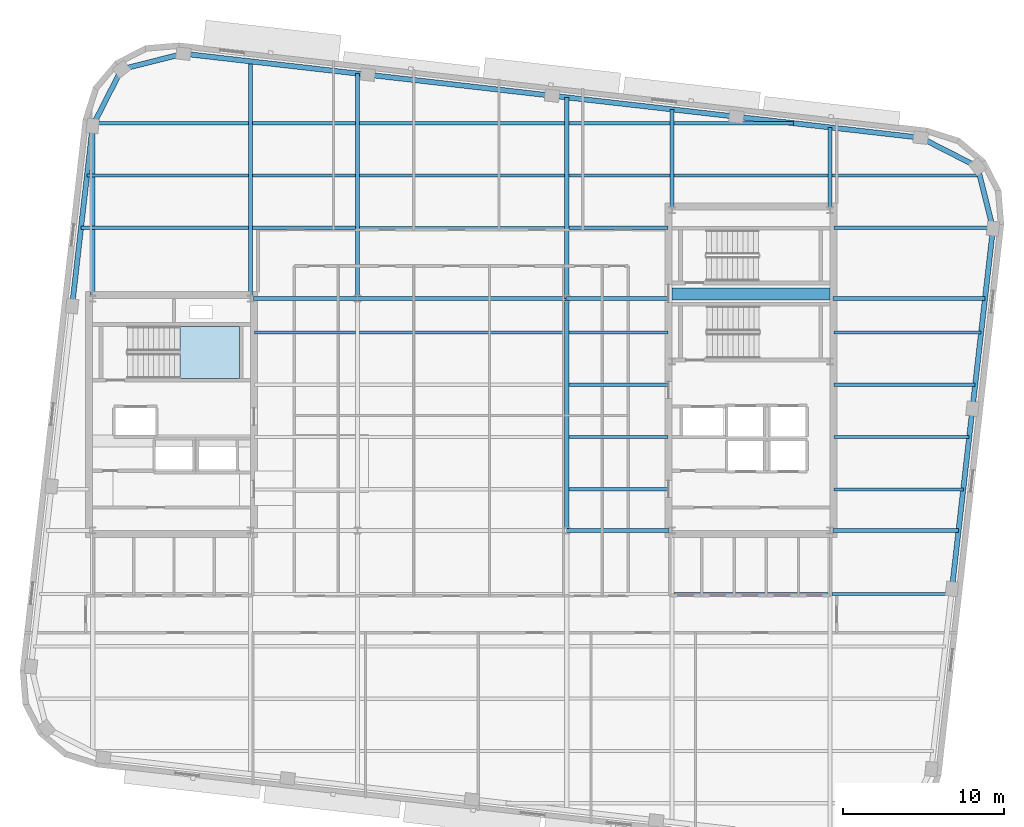
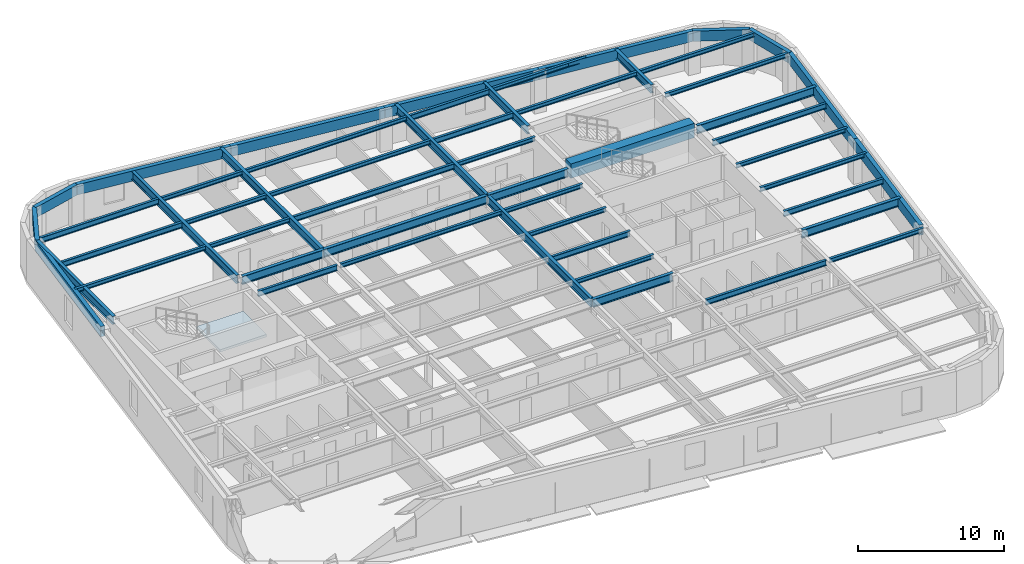
# One storey, part 4 of 13: 53 beams, 1 slab, 1 element without a shape of its own.
"""IFC4 building model written with IfcOpenShell, lengths in metres."""

import ifcopenshell
import ifcopenshell.guid

model = None  # the IFC model being written
_history = None  # IfcOwnerHistory: only IFC2X3 demands one
_inside = {}  # id of a spatial element -> (the spatial element, [elements in it])
_under = {}  # id of a project, library or spatial element -> (it, [spatial elements below it])
_declared = {}  # id of a project -> (the project, [libraries it declares])
_typed = {}  # id of a type object -> (the type object, [elements of that type])
_made_of = {}  # id of a material, layer set ... -> (it, [elements and type objects made of it])


def new_model(schema):
    """Start an empty IFC model of exactly this schema.

    Asked for "IFC4X3", IfcOpenShell would pick the latest addendum, in which some entities
    have other attributes; the version numbers below select the first issue.
    IFC2X3 requires an IfcOwnerHistory on every rooted entity: one is made here for all.
    """
    global model, _history
    if schema == "IFC4X3":
        model = ifcopenshell.file(schema_version=(4, 3, 0, 0))
    else:
        model = ifcopenshell.file(schema=schema)
    _inside.clear()
    _under.clear()
    _declared.clear()
    _typed.clear()
    _made_of.clear()
    _history = None
    if model.schema == "IFC2X3":
        org = make("IfcOrganization", Name="unknown")
        user = make(
            "IfcPersonAndOrganization",
            ThePerson=make("IfcPerson", FamilyName="unknown"),
            TheOrganization=org,
        )
        app = make(
            "IfcApplication",
            ApplicationDeveloper=org,
            Version="unknown",
            ApplicationFullName="unknown",
            ApplicationIdentifier="unknown",
        )
        _history = make(
            "IfcOwnerHistory",
            OwningUser=user,
            OwningApplication=app,
            ChangeAction="ADDED",
            CreationDate=0,
        )
    return model


def make(cls, **values):
    """One entity of the class cls with the attributes given. An attribute that is None is left unset."""
    return model.create_entity(
        cls, **{name: value for name, value in values.items() if value is not None}
    )


def rooted(cls, **values):
    """An entity with a GlobalId (a new one), such as an element, a storey or a relation."""
    return make(cls, GlobalId=ifcopenshell.guid.new(), OwnerHistory=_history, **values)


def si_unit(unit_type, name, prefix=None):
    """IfcSIUnit, for example si_unit("LENGTHUNIT", "METRE", prefix="MILLI")."""
    return make("IfcSIUnit", UnitType=unit_type, Prefix=prefix, Name=name)


def assignment(units):
    """IfcUnitAssignment: the units of a project."""
    return None if units is None else make("IfcUnitAssignment", Units=units)


def point(xyz):
    """IfcCartesianPoint."""
    return None if xyz is None else make("IfcCartesianPoint", Coordinates=xyz)


def direction(xyz):
    """IfcDirection."""
    return None if xyz is None else make("IfcDirection", DirectionRatios=xyz)


def frame(location, z_axis=None, x_axis=None):
    """IfcAxis2Placement3D, a coordinate frame: its origin and axes. An axis left out is left unset."""
    return make(
        "IfcAxis2Placement3D",
        Location=point(location),
        Axis=direction(z_axis),
        RefDirection=direction(x_axis),
    )


def frame_2d(location, x_axis=None):
    """IfcAxis2Placement2D, a coordinate frame in the plane: its origin and x axis."""
    return make(
        "IfcAxis2Placement2D", Location=point(location), RefDirection=direction(x_axis)
    )


def origin():
    """The frame at (0, 0, 0) with its axes left unset."""
    return frame((0.0, 0.0, 0.0))


def origin_2d():
    """The frame at (0, 0) in the plane with its x axis left unset."""
    return frame_2d((0.0, 0.0))


def place(relative_to, where):
    """IfcLocalPlacement: puts the frame where relative to a parent placement (None: the world)."""
    return make(
        "IfcLocalPlacement", PlacementRelTo=relative_to, RelativePlacement=where
    )


def context(
    kind, dimensions, precision=None, world=None, true_north=None, identifier=None
):
    """IfcGeometricRepresentationContext, for example the 3D "Model" context."""
    return make(
        "IfcGeometricRepresentationContext",
        ContextIdentifier=identifier,
        ContextType=kind,
        CoordinateSpaceDimension=dimensions,
        Precision=precision,
        WorldCoordinateSystem=world,
        TrueNorth=true_north,
    )


def subcontext(parent, identifier, kind, view, scale=None):
    """IfcGeometricRepresentationSubContext, for example "Body" below "Model"."""
    return make(
        "IfcGeometricRepresentationSubContext",
        ContextIdentifier=identifier,
        ContextType=kind,
        ParentContext=parent,
        TargetScale=scale,
        TargetView=view,
    )


def project(units=None, contexts=None):
    """IfcProject with its units and contexts."""
    return rooted(
        "IfcProject",
        Name="project",
        RepresentationContexts=contexts,
        UnitsInContext=assignment(units),
    )


def spatial(cls, under=None, at=None, **own):
    """A site, building, storey or space (cls), placed at a placement, below another one or the project."""
    s = rooted(cls, ObjectPlacement=at, **own)
    if under is not None:
        _under.setdefault(under.id(), (under, []))[1].append(s)
    return s


def polyline(points):
    """IfcPolyline through the points."""
    return make("IfcPolyline", Points=[point(p) for p in points])


def profile(cls, at=None, kind="AREA", **sizes):
    """A parametric profile (cls). Its sizes go by their IFC names, for example OverallWidth=200.0."""
    return make(cls, ProfileType=kind, Position=at, **sizes)


def rectangle(**sizes):
    """IfcRectangleProfileDef."""
    return profile("IfcRectangleProfileDef", **sizes)


def hollow_rectangle(**sizes):
    """IfcRectangleHollowProfileDef."""
    return profile("IfcRectangleHollowProfileDef", **sizes)


def i_section(**sizes):
    """IfcIShapeProfileDef."""
    return profile("IfcIShapeProfileDef", **sizes)


def outline(outer, holes=None, kind="AREA"):
    """IfcArbitraryClosedProfileDef: a profile drawn as a closed curve; with holes, ...WithVoids."""
    if holes is None:
        return make("IfcArbitraryClosedProfileDef", ProfileType=kind, OuterCurve=outer)
    return make(
        "IfcArbitraryProfileDefWithVoids",
        ProfileType=kind,
        OuterCurve=outer,
        InnerCurves=holes,
    )


def extrude(swept, where, along, depth):
    """IfcExtrudedAreaSolid: the profile swept, set in the frame where, extruded along a direction by depth."""
    return make(
        "IfcExtrudedAreaSolid",
        SweptArea=swept,
        Position=where,
        ExtrudedDirection=direction(along),
        Depth=depth,
    )


def shape(context_of_items, identifier, shape_type, items):
    """IfcShapeRepresentation: the items that make up one representation, for example the "Body"."""
    return make(
        "IfcShapeRepresentation",
        ContextOfItems=context_of_items,
        RepresentationIdentifier=identifier,
        RepresentationType=shape_type,
        Items=items,
    )


def material(Name=None, Category=None):
    """IfcMaterial."""
    return make("IfcMaterial", Name=Name, Category=Category)


def layer(
    of_material, thickness, ventilated=None, Name=None, Category=None, Priority=None
):
    """IfcMaterialLayer: one layer of a wall or slab, of a material (None: an air gap)."""
    return make(
        "IfcMaterialLayer",
        Material=of_material,
        LayerThickness=thickness,
        IsVentilated=ventilated,
        Name=Name,
        Category=Category,
        Priority=Priority,
    )


def layer_set(layers, Name=None):
    """IfcMaterialLayerSet."""
    return make("IfcMaterialLayerSet", MaterialLayers=layers, LayerSetName=Name)


def material_profile(
    of_material, cross_section, Name=None, Category=None, Priority=None
):
    """IfcMaterialProfile: a cross section and its material."""
    return make(
        "IfcMaterialProfile",
        Name=Name,
        Material=of_material,
        Profile=cross_section,
        Priority=Priority,
        Category=Category,
    )


def profile_set(profiles, Name=None, composite=None):
    """IfcMaterialProfileSet."""
    return make(
        "IfcMaterialProfileSet",
        Name=Name,
        MaterialProfiles=profiles,
        CompositeProfile=composite,
    )


def made_of(thing, what):
    """Note that an element or type object is made of a material, layer set ...; save() writes the relation."""
    if what is not None:
        _made_of.setdefault(what.id(), (what, []))[1].append(thing)
    return thing


def type_object(cls, material=None, **own):
    """A type object (cls), such as IfcWallType, which elements share."""
    return made_of(rooted(cls, **own), material)


def element(
    cls,
    number,
    at=None,
    inside=None,
    cuts=None,
    type_object=None,
    material=None,
    context=None,
    identifier="Body",
    shape_type=None,
    held_by="IfcProductDefinitionShape",
    body=None,
    shapes=None,
    **own,
):
    """One element of the class cls, such as IfcWall. Its Tag is "e" and its number.

    at: its placement. inside: the storey or other place that contains it. cuts: it is an
    opening in that element (IfcRelVoidsElement). A single representation is given by context,
    identifier, shape_type and body (its items); several are given by shapes. held_by: the class
    of the entity that holds the representations. save() writes the other relations.
    """
    e = rooted(cls, Tag="e%d" % number, ObjectPlacement=at, **own)
    if body is not None:
        shapes = [shape(context, identifier, shape_type, body)]
    if shapes is not None:
        e.Representation = make(held_by, Representations=shapes)
    if inside is not None:
        _inside.setdefault(inside.id(), (inside, []))[1].append(e)
    if cuts is not None:
        rooted(
            "IfcRelVoidsElement", RelatingBuildingElement=cuts, RelatedOpeningElement=e
        )
    if type_object is not None:
        _typed.setdefault(type_object.id(), (type_object, []))[1].append(e)
    return made_of(e, material)


def aggregate(whole, parts):
    """IfcRelAggregates: a whole, such as a stair, and the parts it consists of."""
    return rooted("IfcRelAggregates", RelatingObject=whole, RelatedObjects=parts)


def save(model, path):
    """Write the relations noted so far, then the file.

    IfcRelAggregates (storeys below a building ...), IfcRelContainedInSpatialStructure (elements
    in a storey), IfcRelDefinesByType, IfcRelAssociatesMaterial and IfcRelDeclares: one each for
    every whole, place, type object, material and project.
    """
    for whole, parts in _under.values():
        aggregate(whole, parts)
    for where, things in _inside.values():
        rooted(
            "IfcRelContainedInSpatialStructure",
            RelatedElements=things,
            RelatingStructure=where,
        )
    for kind, things in _typed.values():
        rooted("IfcRelDefinesByType", RelatedObjects=things, RelatingType=kind)
    for what, things in _made_of.values():
        rooted("IfcRelAssociatesMaterial", RelatedObjects=things, RelatingMaterial=what)
    for by, libraries in _declared.values():
        rooted("IfcRelDeclares", RelatingContext=by, RelatedDefinitions=libraries)
    model.write(path)


model = new_model("IFC4")

# Units and contexts
model_context = context("Model", 3, precision=1e-05, world=origin(), true_north=direction((0.0, 1.0)))
body_context = subcontext(model_context, "Body", "Model", "MODEL_VIEW")
ifc_project = project(units=[si_unit("LENGTHUNIT", "METRE"), si_unit("AREAUNIT", "SQUARE_METRE"), si_unit("VOLUMEUNIT", "CUBIC_METRE"), si_unit("PLANEANGLEUNIT", "RADIAN"), si_unit("MASSUNIT", "GRAM", prefix="KILO")], contexts=[model_context])

# Site, building, storey
site_placement = place(None, origin())
site = spatial("IfcSite", under=ifc_project, at=site_placement, CompositionType="ELEMENT")
building_placement = place(site_placement, origin())
building = spatial("IfcBuilding", under=site, at=building_placement, Name="Kolvaren Arena Tower", CompositionType="ELEMENT")
storey_placement = place(building_placement, frame((0.0, 0.0, 232.199951171875)))
storey = spatial("IfcBuildingStorey", under=building, at=storey_placement, Name="L56", CompositionType="ELEMENT", Elevation=232.199951171875)

# Beams
ifc_material_1 = material(Name="Steel CSA G40.21 350W", Category="steel")
ifc_material_profile_1 = material_profile(ifc_material_1, i_section(OverallWidth=0.193115234375, OverallDepth=0.462890625, WebThickness=0.0107421875, FlangeThickness=0.0205078125, FilletRadius=0.012939453125, at=origin_2d()), Name="W460x113")
ifc_profile_set_1 = profile_set([ifc_material_profile_1], Name="Steel CSA G40.21 350W")
beam_type_1 = type_object("IfcBeamType", Name="BEAM-F2", PredefinedType="BEAM", material=ifc_profile_set_1)
beam_1_placement = place(storey_placement, frame((50.677490234375, 15.5, 3.24853515625), z_axis=(1.0, 0.0, 0.0), x_axis=(0.0, 1.0, 0.0)))
element("IfcBeam", 1, at=beam_1_placement, inside=storey, type_object=beam_type_1, Name="Composite Floor Beam (L56)", PredefinedType="BEAM", context=body_context, shape_type="SweptSolid", body=[
    extrude(i_section(OverallWidth=0.193115234375, OverallDepth=0.462890625, WebThickness=0.0107421875, FlangeThickness=0.0205078125, FilletRadius=0.012939453125, at=origin_2d()), origin(), (0.0, 0.0, 1.0), 9.544921875),
])
beam_2_placement = place(storey_placement, frame((60.594970703125, 22.0, 3.24853515625), z_axis=(1.0, 0.0, 0.0), x_axis=(0.0, 1.0, 0.0)))
element("IfcBeam", 2, at=beam_2_placement, inside=storey, type_object=beam_type_1, Name="Composite Floor Beam (L56)", PredefinedType="BEAM", context=body_context, shape_type="SweptSolid", body=[
    extrude(i_section(OverallWidth=0.193115234375, OverallDepth=0.462890625, WebThickness=0.0107421875, FlangeThickness=0.0205078125, FilletRadius=0.012939453125, at=origin_2d()), origin(), (0.0, 0.0, 1.0), 8.041015625),
])
beam_3_placement = place(storey_placement, frame((44.12744140625, 25.25, 3.24853515625), z_axis=(1.0, 0.0, 0.0), x_axis=(0.0, 1.0, 0.0)))
element("IfcBeam", 3, at=beam_3_placement, inside=storey, type_object=beam_type_1, Name="Composite Floor Beam (L56)", PredefinedType="BEAM", context=body_context, shape_type="SweptSolid", body=[
    extrude(i_section(OverallWidth=0.193115234375, OverallDepth=0.462890625, WebThickness=0.0107421875, FlangeThickness=0.0205078125, FilletRadius=0.012939453125, at=origin_2d()), origin(), (0.0, 0.0, 1.0), 6.177490234375),
])
beam_4_placement = place(storey_placement, frame((24.594970703125, 31.75, 3.24853515625), z_axis=(1.0, 0.0, 0.0), x_axis=(0.0, 1.0, 0.0)))
element("IfcBeam", 4, at=beam_4_placement, inside=storey, type_object=beam_type_1, Name="Composite Floor Beam (L56)", PredefinedType="BEAM", context=body_context, shape_type="SweptSolid", body=[
    extrude(i_section(OverallWidth=0.193115234375, OverallDepth=0.462890625, WebThickness=0.0107421875, FlangeThickness=0.0205078125, FilletRadius=0.012939453125, at=origin_2d()), origin(), (0.0, 0.0, 1.0), 6.277587890625),
])
beam_5_placement = place(storey_placement, frame((60.594970703125, 31.75, 3.24853515625), z_axis=(1.0, 0.0, 0.0), x_axis=(0.0, 1.0, 0.0)))
element("IfcBeam", 5, at=beam_5_placement, inside=storey, type_object=beam_type_1, Name="Composite Floor Beam (L56)", PredefinedType="BEAM", context=body_context, shape_type="SweptSolid", body=[
    extrude(i_section(OverallWidth=0.193115234375, OverallDepth=0.462890625, WebThickness=0.0107421875, FlangeThickness=0.0205078125, FilletRadius=0.012939453125, at=origin_2d()), origin(), (0.0, 0.0, 1.0), 9.15185546875),
])
beam_6_placement = place(storey_placement, frame((31.12744140625, 38.25, 3.24853515625), z_axis=(1.0, 0.0, 0.0), x_axis=(0.0, 1.0, 0.0)))
element("IfcBeam", 6, at=beam_6_placement, inside=storey, type_object=beam_type_1, Name="Composite Floor Beam (L56)", PredefinedType="BEAM", context=body_context, shape_type="SweptSolid", body=[
    extrude(i_section(OverallWidth=0.193115234375, OverallDepth=0.462890625, WebThickness=0.0107421875, FlangeThickness=0.0205078125, FilletRadius=0.012939453125, at=origin_2d()), origin(), (0.0, 0.0, 1.0), 12.7451171875),
])
beam_7_placement = place(storey_placement, frame((14.193359375, 41.5, 3.24853515625), z_axis=(1.0, 0.0, 0.0), x_axis=(0.0, 1.0, 0.0)))
element("IfcBeam", 7, at=beam_7_placement, inside=storey, type_object=beam_type_1, Name="Composite Floor Beam (L56)", PredefinedType="BEAM", context=body_context, shape_type="SweptSolid", body=[
    extrude(i_section(OverallWidth=0.193115234375, OverallDepth=0.462890625, WebThickness=0.0107421875, FlangeThickness=0.0205078125, FilletRadius=0.012939453125, at=origin_2d()), origin(), (0.0, 0.0, 1.0), 10.029052734375),
])
beam_8_placement = place(storey_placement, frame((44.12744140625, 41.5, 3.24853515625), z_axis=(1.0, 0.0, 0.0), x_axis=(0.0, 1.0, 0.0)))
element("IfcBeam", 8, at=beam_8_placement, inside=storey, type_object=beam_type_1, Name="Composite Floor Beam (L56)", PredefinedType="BEAM", context=body_context, shape_type="SweptSolid", body=[
    extrude(i_section(OverallWidth=0.193115234375, OverallDepth=0.462890625, WebThickness=0.0107421875, FlangeThickness=0.0205078125, FilletRadius=0.012939453125, at=origin_2d()), origin(), (0.0, 0.0, 1.0), 6.295166015625),
])
beam_9_placement = place(storey_placement, frame((14.632080078125, 44.75, 3.24853515625), z_axis=(1.0, 0.0, 0.0), x_axis=(0.0, 1.0, 0.0)))
element("IfcBeam", 9, at=beam_9_placement, inside=storey, type_object=beam_type_1, Name="Composite Floor Beam (L56)", PredefinedType="BEAM", context=body_context, shape_type="SweptSolid", body=[
    extrude(i_section(OverallWidth=0.193115234375, OverallDepth=0.462890625, WebThickness=0.0107421875, FlangeThickness=0.0205078125, FilletRadius=0.012939453125, at=origin_2d()), origin(), (0.0, 0.0, 1.0), 9.59033203125),
])
beam_10_placement = place(storey_placement, frame((44.12744140625, 44.75, 3.24853515625), z_axis=(1.0, 0.0, 0.0), x_axis=(0.0, 1.0, 0.0)))
element("IfcBeam", 10, at=beam_10_placement, inside=storey, type_object=beam_type_1, Name="Composite Floor Beam (L56)", PredefinedType="BEAM", context=body_context, shape_type="SweptSolid", body=[
    extrude(i_section(OverallWidth=0.193115234375, OverallDepth=0.462890625, WebThickness=0.0107421875, FlangeThickness=0.0205078125, FilletRadius=0.012939453125, at=origin_2d()), origin(), (0.0, 0.0, 1.0), 6.295166015625),
])
ifc_material_2 = material(Name="Concrete 60 MPa", Category="concrete")
ifc_material_profile_2 = material_profile(ifc_material_2, rectangle(XDim=0.75, YDim=1.199951171875, at=origin_2d()), Name="RC-750x1200")
ifc_profile_set_2 = profile_set([ifc_material_profile_2], Name="Concrete 60 MPa")
beam_type_2 = type_object("IfcBeamType", Name="CB-CORE-2", PredefinedType="BEAM", material=ifc_profile_set_2)
beam_11_placement = place(storey_placement, frame((50.550048828125, 34.14990234375, 3.150146484375), z_axis=(1.0, 0.0, 0.0), x_axis=(0.0, 1.0, 0.0)))
element("IfcBeam", 11, at=beam_11_placement, inside=storey, type_object=beam_type_2, Name="East Core Coupling Beam (L56)", PredefinedType="BEAM", context=body_context, shape_type="SweptSolid", body=[
    extrude(rectangle(XDim=0.75, YDim=1.199951171875, at=origin_2d()), origin(), (0.0, 0.0, 1.0), 9.800048828125),
])
ifc_material_profile_3 = material_profile(ifc_material_1, i_section(OverallWidth=0.2548828125, OverallDepth=0.695068359375, WebThickness=0.01708984375, FlangeThickness=0.02978515625, FilletRadius=0.01611328125, at=origin_2d()), Name="W690x217")
ifc_profile_set_3 = profile_set([ifc_material_profile_3], Name="Steel CSA G40.21 350W")
beam_type_3 = type_object("IfcBeamType", Name="GIRD-T2", PredefinedType="BEAM", material=ifc_profile_set_3)
beam_12_placement = place(storey_placement, frame((44.0, 19.449951171875, 3.132568359375), z_axis=(1.0, 0.0, 0.0), x_axis=(0.0, 1.0, 0.0)))
element("IfcBeam", 12, at=beam_12_placement, inside=storey, type_object=beam_type_3, Name="Primary Floor Girder (L56)", PredefinedType="BEAM", context=body_context, shape_type="SweptSolid", body=[
    extrude(i_section(OverallWidth=0.2548828125, OverallDepth=0.695068359375, WebThickness=0.01708984375, FlangeThickness=0.02978515625, FilletRadius=0.01611328125, at=origin_2d()), origin(), (0.0, 0.0, 1.0), 6.344970703125),
])
beam_13_placement = place(storey_placement, frame((60.554931640625, 19.449951171875, 3.132568359375), z_axis=(1.0, 0.0, 0.0), x_axis=(0.0, 1.0, 0.0)))
element("IfcBeam", 13, at=beam_13_placement, inside=storey, type_object=beam_type_3, Name="Primary Floor Girder (L56)", PredefinedType="BEAM", context=body_context, shape_type="SweptSolid", body=[
    extrude(i_section(OverallWidth=0.2548828125, OverallDepth=0.695068359375, WebThickness=0.01708984375, FlangeThickness=0.02978515625, FilletRadius=0.01611328125, at=origin_2d()), origin(), (0.0, 0.0, 1.0), 7.790283203125),
])
beam_14_placement = place(storey_placement, frame((24.554931640625, 33.85009765625, 3.132568359375), z_axis=(1.0, 0.0, 0.0), x_axis=(0.0, 1.0, 0.0)))
element("IfcBeam", 14, at=beam_14_placement, inside=storey, type_object=beam_type_3, Name="Primary Floor Girder (L56)", PredefinedType="BEAM", context=body_context, shape_type="SweptSolid", body=[
    extrude(i_section(OverallWidth=0.2548828125, OverallDepth=0.695068359375, WebThickness=0.01708984375, FlangeThickness=0.02978515625, FilletRadius=0.01611328125, at=origin_2d()), origin(), (0.0, 0.0, 1.0), 6.445068359375),
])
beam_15_placement = place(storey_placement, frame((31.0, 33.85009765625, 3.132568359375), z_axis=(1.0, 0.0, 0.0), x_axis=(0.0, 1.0, 0.0)))
element("IfcBeam", 15, at=beam_15_placement, inside=storey, type_object=beam_type_3, Name="Primary Floor Girder (L56)", PredefinedType="BEAM", context=body_context, shape_type="SweptSolid", body=[
    extrude(i_section(OverallWidth=0.2548828125, OverallDepth=0.695068359375, WebThickness=0.01708984375, FlangeThickness=0.02978515625, FilletRadius=0.01611328125, at=origin_2d()), origin(), (0.0, 0.0, 1.0), 13.0),
])
beam_16_placement = place(storey_placement, frame((44.0, 33.85009765625, 3.132568359375), z_axis=(1.0, 0.0, 0.0), x_axis=(0.0, 1.0, 0.0)))
element("IfcBeam", 16, at=beam_16_placement, inside=storey, type_object=beam_type_3, Name="Primary Floor Girder (L56)", PredefinedType="BEAM", context=body_context, shape_type="SweptSolid", body=[
    extrude(i_section(OverallWidth=0.2548828125, OverallDepth=0.695068359375, WebThickness=0.01708984375, FlangeThickness=0.02978515625, FilletRadius=0.01611328125, at=origin_2d()), origin(), (0.0, 0.0, 1.0), 6.344970703125),
])
beam_17_placement = place(storey_placement, frame((60.554931640625, 33.85009765625, 3.132568359375), z_axis=(1.0, 0.0, 0.0), x_axis=(0.0, 1.0, 0.0)))
element("IfcBeam", 17, at=beam_17_placement, inside=storey, type_object=beam_type_3, Name="Primary Floor Girder (L56)", PredefinedType="BEAM", context=body_context, shape_type="SweptSolid", body=[
    extrude(i_section(OverallWidth=0.2548828125, OverallDepth=0.695068359375, WebThickness=0.01708984375, FlangeThickness=0.02978515625, FilletRadius=0.01611328125, at=origin_2d()), origin(), (0.0, 0.0, 1.0), 9.43115234375),
])
beam_18_placement = place(storey_placement, frame((14.550048828125, 34.054931640625, 3.132568359375), z_axis=(0.0, 1.0, 0.0), x_axis=(-1.0, 0.0, 0.0)))
element("IfcBeam", 18, at=beam_18_placement, inside=storey, type_object=beam_type_3, Name="Primary Floor Girder (L56)", PredefinedType="BEAM", context=body_context, shape_type="SweptSolid", body=[
    extrude(i_section(OverallWidth=0.2548828125, OverallDepth=0.695068359375, WebThickness=0.01708984375, FlangeThickness=0.02978515625, FilletRadius=0.01611328125, at=origin_2d()), origin(), (0.0, 0.0, 1.0), 10.53466796875),
])
beam_19_placement = place(storey_placement, frame((24.35009765625, 34.054931640625, 3.132568359375), z_axis=(0.0, 1.0, 0.0), x_axis=(-1.0, 0.0, 0.0)))
element("IfcBeam", 19, at=beam_19_placement, inside=storey, type_object=beam_type_3, Name="Primary Floor Girder (L56)", PredefinedType="BEAM", context=body_context, shape_type="SweptSolid", body=[
    extrude(i_section(OverallWidth=0.2548828125, OverallDepth=0.695068359375, WebThickness=0.01708984375, FlangeThickness=0.02978515625, FilletRadius=0.01611328125, at=origin_2d()), origin(), (0.0, 0.0, 1.0), 14.538818359375),
])
beam_20_placement = place(storey_placement, frame((31.0, 33.85009765625, 3.132568359375), z_axis=(0.0, 1.0, 0.0), x_axis=(-1.0, 0.0, 0.0)))
element("IfcBeam", 20, at=beam_20_placement, inside=storey, type_object=beam_type_3, Name="Primary Floor Girder (L56)", PredefinedType="BEAM", context=body_context, shape_type="SweptSolid", body=[
    extrude(i_section(OverallWidth=0.2548828125, OverallDepth=0.695068359375, WebThickness=0.01708984375, FlangeThickness=0.02978515625, FilletRadius=0.01611328125, at=origin_2d()), origin(), (0.0, 0.0, 1.0), 13.986083984375),
])
beam_21_placement = place(storey_placement, frame((44.0, 19.449951171875, 3.132568359375), z_axis=(0.0, 1.0, 0.0), x_axis=(-1.0, 0.0, 0.0)))
element("IfcBeam", 21, at=beam_21_placement, inside=storey, type_object=beam_type_3, Name="Primary Floor Girder (L56)", PredefinedType="BEAM", context=body_context, shape_type="SweptSolid", body=[
    extrude(i_section(OverallWidth=0.2548828125, OverallDepth=0.695068359375, WebThickness=0.01708984375, FlangeThickness=0.02978515625, FilletRadius=0.01611328125, at=origin_2d()), origin(), (0.0, 0.0, 1.0), 14.400146484375),
])
beam_22_placement = place(storey_placement, frame((44.0, 33.85009765625, 3.132568359375), z_axis=(0.0, 1.0, 0.0), x_axis=(-1.0, 0.0, 0.0)))
element("IfcBeam", 22, at=beam_22_placement, inside=storey, type_object=beam_type_3, Name="Primary Floor Girder (L56)", PredefinedType="BEAM", context=body_context, shape_type="SweptSolid", body=[
    extrude(i_section(OverallWidth=0.2548828125, OverallDepth=0.695068359375, WebThickness=0.01708984375, FlangeThickness=0.02978515625, FilletRadius=0.01611328125, at=origin_2d()), origin(), (0.0, 0.0, 1.0), 12.5048828125),
])
beam_23_placement = place(storey_placement, frame((50.550048828125, 39.554931640625, 3.132568359375), z_axis=(0.0, 1.0, 0.0), x_axis=(-1.0, 0.0, 0.0)))
element("IfcBeam", 23, at=beam_23_placement, inside=storey, type_object=beam_type_3, Name="Primary Floor Girder (L56)", PredefinedType="BEAM", context=body_context, shape_type="SweptSolid", body=[
    extrude(i_section(OverallWidth=0.2548828125, OverallDepth=0.695068359375, WebThickness=0.01708984375, FlangeThickness=0.02978515625, FilletRadius=0.01611328125, at=origin_2d()), origin(), (0.0, 0.0, 1.0), 6.0537109375),
])
beam_24_placement = place(storey_placement, frame((60.35009765625, 39.554931640625, 3.132568359375), z_axis=(0.0, 1.0, 0.0), x_axis=(-1.0, 0.0, 0.0)))
element("IfcBeam", 24, at=beam_24_placement, inside=storey, type_object=beam_type_3, Name="Primary Floor Girder (L56)", PredefinedType="BEAM", context=body_context, shape_type="SweptSolid", body=[
    extrude(i_section(OverallWidth=0.2548828125, OverallDepth=0.695068359375, WebThickness=0.01708984375, FlangeThickness=0.02978515625, FilletRadius=0.01611328125, at=origin_2d()), origin(), (0.0, 0.0, 1.0), 4.937255859375),
])
ifc_material_profile_4 = material_profile(ifc_material_1, i_section(OverallWidth=0.202880859375, OverallDepth=0.346923828125, WebThickness=0.0078125, FlangeThickness=0.013427734375, FilletRadius=0.010986328125, at=origin_2d()), Name="W360x64")
ifc_profile_set_4 = profile_set([ifc_material_profile_4], Name="Steel CSA G40.21 350W")
beam_type_4 = type_object("IfcBeamType", Name="JOIST-01", PredefinedType="JOIST", material=ifc_profile_set_4)
beam_25_placement = place(storey_placement, frame((60.4775390625, 15.5, 3.306640625), z_axis=(1.0, 0.0, 0.0), x_axis=(0.0, 1.0, 0.0)))
element("IfcBeam", 25, at=beam_25_placement, inside=storey, type_object=beam_type_4, Name="Composite Floor Joist (L56)", PredefinedType="JOIST", context=body_context, shape_type="SweptSolid", body=[
    extrude(i_section(OverallWidth=0.202880859375, OverallDepth=0.346923828125, WebThickness=0.0078125, FlangeThickness=0.013427734375, FilletRadius=0.010986328125, at=origin_2d()), origin(), (0.0, 0.0, 1.0), 7.417724609375),
])
beam_26_placement = place(storey_placement, frame((44.12744140625, 22.0, 3.306640625), z_axis=(1.0, 0.0, 0.0), x_axis=(0.0, 1.0, 0.0)))
element("IfcBeam", 26, at=beam_26_placement, inside=storey, type_object=beam_type_4, Name="Composite Floor Joist (L56)", PredefinedType="JOIST", context=body_context, shape_type="SweptSolid", body=[
    extrude(i_section(OverallWidth=0.202880859375, OverallDepth=0.346923828125, WebThickness=0.0078125, FlangeThickness=0.013427734375, FilletRadius=0.010986328125, at=origin_2d()), origin(), (0.0, 0.0, 1.0), 6.177490234375),
])
beam_27_placement = place(storey_placement, frame((60.594970703125, 25.25, 3.306640625), z_axis=(1.0, 0.0, 0.0), x_axis=(0.0, 1.0, 0.0)))
element("IfcBeam", 27, at=beam_27_placement, inside=storey, type_object=beam_type_4, Name="Composite Floor Joist (L56)", PredefinedType="JOIST", context=body_context, shape_type="SweptSolid", body=[
    extrude(i_section(OverallWidth=0.202880859375, OverallDepth=0.346923828125, WebThickness=0.0078125, FlangeThickness=0.013427734375, FilletRadius=0.010986328125, at=origin_2d()), origin(), (0.0, 0.0, 1.0), 8.4111328125),
])
beam_28_placement = place(storey_placement, frame((44.12744140625, 28.5, 3.306640625), z_axis=(1.0, 0.0, 0.0), x_axis=(0.0, 1.0, 0.0)))
element("IfcBeam", 28, at=beam_28_placement, inside=storey, type_object=beam_type_4, Name="Composite Floor Joist (L56)", PredefinedType="JOIST", context=body_context, shape_type="SweptSolid", body=[
    extrude(i_section(OverallWidth=0.202880859375, OverallDepth=0.346923828125, WebThickness=0.0078125, FlangeThickness=0.013427734375, FilletRadius=0.010986328125, at=origin_2d()), origin(), (0.0, 0.0, 1.0), 6.177490234375),
])
beam_29_placement = place(storey_placement, frame((60.594970703125, 28.5, 3.306640625), z_axis=(1.0, 0.0, 0.0), x_axis=(0.0, 1.0, 0.0)))
element("IfcBeam", 29, at=beam_29_placement, inside=storey, type_object=beam_type_4, Name="Composite Floor Joist (L56)", PredefinedType="JOIST", context=body_context, shape_type="SweptSolid", body=[
    extrude(i_section(OverallWidth=0.202880859375, OverallDepth=0.346923828125, WebThickness=0.0078125, FlangeThickness=0.013427734375, FilletRadius=0.010986328125, at=origin_2d()), origin(), (0.0, 0.0, 1.0), 8.781494140625),
])
beam_30_placement = place(storey_placement, frame((31.12744140625, 31.75, 3.306640625), z_axis=(1.0, 0.0, 0.0), x_axis=(0.0, 1.0, 0.0)))
element("IfcBeam", 30, at=beam_30_placement, inside=storey, type_object=beam_type_4, Name="Composite Floor Joist (L56)", PredefinedType="JOIST", context=body_context, shape_type="SweptSolid", body=[
    extrude(i_section(OverallWidth=0.202880859375, OverallDepth=0.346923828125, WebThickness=0.0078125, FlangeThickness=0.013427734375, FilletRadius=0.010986328125, at=origin_2d()), origin(), (0.0, 0.0, 1.0), 12.7451171875),
])
beam_31_placement = place(storey_placement, frame((44.12744140625, 31.75, 3.306640625), z_axis=(1.0, 0.0, 0.0), x_axis=(0.0, 1.0, 0.0)))
element("IfcBeam", 31, at=beam_31_placement, inside=storey, type_object=beam_type_4, Name="Composite Floor Joist (L56)", PredefinedType="JOIST", context=body_context, shape_type="SweptSolid", body=[
    extrude(i_section(OverallWidth=0.202880859375, OverallDepth=0.346923828125, WebThickness=0.0078125, FlangeThickness=0.013427734375, FilletRadius=0.010986328125, at=origin_2d()), origin(), (0.0, 0.0, 1.0), 6.177490234375),
])
beam_32_placement = place(storey_placement, frame((13.822998046875, 38.25, 3.306640625), z_axis=(1.0, 0.0, 0.0), x_axis=(0.0, 1.0, 0.0)))
element("IfcBeam", 32, at=beam_32_placement, inside=storey, type_object=beam_type_4, Name="Composite Floor Joist (L56)", PredefinedType="JOIST", context=body_context, shape_type="SweptSolid", body=[
    extrude(i_section(OverallWidth=0.202880859375, OverallDepth=0.346923828125, WebThickness=0.0078125, FlangeThickness=0.013427734375, FilletRadius=0.010986328125, at=origin_2d()), origin(), (0.0, 0.0, 1.0), 10.3994140625),
])
beam_33_placement = place(storey_placement, frame((24.4775390625, 38.25, 3.306640625), z_axis=(1.0, 0.0, 0.0), x_axis=(0.0, 1.0, 0.0)))
element("IfcBeam", 33, at=beam_33_placement, inside=storey, type_object=beam_type_4, Name="Composite Floor Joist (L56)", PredefinedType="JOIST", context=body_context, shape_type="SweptSolid", body=[
    extrude(i_section(OverallWidth=0.202880859375, OverallDepth=0.346923828125, WebThickness=0.0078125, FlangeThickness=0.013427734375, FilletRadius=0.010986328125, at=origin_2d()), origin(), (0.0, 0.0, 1.0), 6.39501953125),
])
beam_34_placement = place(storey_placement, frame((44.12744140625, 38.25, 3.306640625), z_axis=(1.0, 0.0, 0.0), x_axis=(0.0, 1.0, 0.0)))
element("IfcBeam", 34, at=beam_34_placement, inside=storey, type_object=beam_type_4, Name="Composite Floor Joist (L56)", PredefinedType="JOIST", context=body_context, shape_type="SweptSolid", body=[
    extrude(i_section(OverallWidth=0.202880859375, OverallDepth=0.346923828125, WebThickness=0.0078125, FlangeThickness=0.013427734375, FilletRadius=0.010986328125, at=origin_2d()), origin(), (0.0, 0.0, 1.0), 6.177490234375),
])
beam_35_placement = place(storey_placement, frame((60.594970703125, 38.25, 3.306640625), z_axis=(1.0, 0.0, 0.0), x_axis=(0.0, 1.0, 0.0)))
element("IfcBeam", 35, at=beam_35_placement, inside=storey, type_object=beam_type_4, Name="Composite Floor Joist (L56)", PredefinedType="JOIST", context=body_context, shape_type="SweptSolid", body=[
    extrude(i_section(OverallWidth=0.202880859375, OverallDepth=0.346923828125, WebThickness=0.0078125, FlangeThickness=0.013427734375, FilletRadius=0.010986328125, at=origin_2d()), origin(), (0.0, 0.0, 1.0), 9.8759765625),
])
beam_36_placement = place(storey_placement, frame((24.4775390625, 41.5, 3.306640625), z_axis=(1.0, 0.0, 0.0), x_axis=(0.0, 1.0, 0.0)))
element("IfcBeam", 36, at=beam_36_placement, inside=storey, type_object=beam_type_4, Name="Composite Floor Joist (L56)", PredefinedType="JOIST", context=body_context, shape_type="SweptSolid", body=[
    extrude(i_section(OverallWidth=0.202880859375, OverallDepth=0.346923828125, WebThickness=0.0078125, FlangeThickness=0.013427734375, FilletRadius=0.010986328125, at=origin_2d()), origin(), (0.0, 0.0, 1.0), 6.39501953125),
])
beam_37_placement = place(storey_placement, frame((31.12744140625, 41.5, 3.306640625), z_axis=(1.0, 0.0, 0.0), x_axis=(0.0, 1.0, 0.0)))
element("IfcBeam", 37, at=beam_37_placement, inside=storey, type_object=beam_type_4, Name="Composite Floor Joist (L56)", PredefinedType="JOIST", context=body_context, shape_type="SweptSolid", body=[
    extrude(i_section(OverallWidth=0.202880859375, OverallDepth=0.346923828125, WebThickness=0.0078125, FlangeThickness=0.013427734375, FilletRadius=0.010986328125, at=origin_2d()), origin(), (0.0, 0.0, 1.0), 12.7451171875),
])
beam_38_placement = place(storey_placement, frame((50.677490234375, 41.5, 3.306640625), z_axis=(1.0, 0.0, 0.0), x_axis=(0.0, 1.0, 0.0)))
element("IfcBeam", 38, at=beam_38_placement, inside=storey, type_object=beam_type_4, Name="Composite Floor Joist (L56)", PredefinedType="JOIST", context=body_context, shape_type="SweptSolid", body=[
    extrude(i_section(OverallWidth=0.202880859375, OverallDepth=0.346923828125, WebThickness=0.0078125, FlangeThickness=0.013427734375, FilletRadius=0.010986328125, at=origin_2d()), origin(), (0.0, 0.0, 1.0), 9.544921875),
])
beam_39_placement = place(storey_placement, frame((60.4775390625, 41.5, 3.306640625), z_axis=(1.0, 0.0, 0.0), x_axis=(0.0, 1.0, 0.0)))
element("IfcBeam", 39, at=beam_39_placement, inside=storey, type_object=beam_type_4, Name="Composite Floor Joist (L56)", PredefinedType="JOIST", context=body_context, shape_type="SweptSolid", body=[
    extrude(i_section(OverallWidth=0.202880859375, OverallDepth=0.346923828125, WebThickness=0.0078125, FlangeThickness=0.013427734375, FilletRadius=0.010986328125, at=origin_2d()), origin(), (0.0, 0.0, 1.0), 9.17919921875),
])
beam_40_placement = place(storey_placement, frame((24.4775390625, 44.75, 3.306640625), z_axis=(1.0, 0.0, 0.0), x_axis=(0.0, 1.0, 0.0)))
element("IfcBeam", 40, at=beam_40_placement, inside=storey, type_object=beam_type_4, Name="Composite Floor Joist (L56)", PredefinedType="JOIST", context=body_context, shape_type="SweptSolid", body=[
    extrude(i_section(OverallWidth=0.202880859375, OverallDepth=0.346923828125, WebThickness=0.0078125, FlangeThickness=0.013427734375, FilletRadius=0.010986328125, at=origin_2d()), origin(), (0.0, 0.0, 1.0), 6.39501953125),
])
beam_41_placement = place(storey_placement, frame((31.12744140625, 44.75, 3.306640625), z_axis=(1.0, 0.0, 0.0), x_axis=(0.0, 1.0, 0.0)))
element("IfcBeam", 41, at=beam_41_placement, inside=storey, type_object=beam_type_4, Name="Composite Floor Joist (L56)", PredefinedType="JOIST", context=body_context, shape_type="SweptSolid", body=[
    extrude(i_section(OverallWidth=0.202880859375, OverallDepth=0.346923828125, WebThickness=0.0078125, FlangeThickness=0.013427734375, FilletRadius=0.010986328125, at=origin_2d()), origin(), (0.0, 0.0, 1.0), 12.7451171875),
])
beam_42_placement = place(storey_placement, frame((50.677490234375, 44.75, 3.306640625), z_axis=(1.0, 0.0, 0.0), x_axis=(0.0, 1.0, 0.0)))
element("IfcBeam", 42, at=beam_42_placement, inside=storey, type_object=beam_type_4, Name="Composite Floor Joist (L56)", PredefinedType="JOIST", context=body_context, shape_type="SweptSolid", body=[
    extrude(i_section(OverallWidth=0.202880859375, OverallDepth=0.346923828125, WebThickness=0.0078125, FlangeThickness=0.013427734375, FilletRadius=0.010986328125, at=origin_2d()), origin(), (0.0, 0.0, 1.0), 7.40869140625),
])
ifc_material_3 = material(Name="Steel CSA G40.21 350WT", Category="steel")
ifc_material_profile_5 = material_profile(ifc_material_3, hollow_rectangle(XDim=0.320068359375, YDim=0.860107421875, WallThickness=0.01806640625, at=origin_2d()), Name="HSS 860x320x18")
ifc_profile_set_5 = profile_set([ifc_material_profile_5], Name="Steel CSA G40.21 350WT")
beam_type_5 = type_object("IfcBeamType", Name="SPAND-02", PredefinedType="SPANDREL", material=ifc_profile_set_5)
beam_43_placement = place(storey_placement, frame((67.931396484375, 15.816162109375, 3.050048828125), z_axis=(0.113199459318, 0.993572283435, 0.0), x_axis=(-0.993572283435, 0.113199459318, 0.0)))
element("IfcBeam", 43, at=beam_43_placement, inside=storey, type_object=beam_type_5, Name="Perimeter Spandrel Beam (L56)", PredefinedType="SPANDREL", context=body_context, shape_type="SweptSolid", body=[
    extrude(hollow_rectangle(XDim=0.320068359375, YDim=0.860107421875, WallThickness=0.01806640625, at=origin_2d()), origin(), (0.0, 0.0, 1.0), 11.266845703125),
])
beam_44_placement = place(storey_placement, frame((69.206787109375, 27.010498046875, 3.050048828125), z_axis=(0.113201896536, 0.993572005755, 0.0), x_axis=(-0.993572005755, 0.113201896536, 0.0)))
element("IfcBeam", 44, at=beam_44_placement, inside=storey, type_object=beam_type_5, Name="Perimeter Spandrel Beam (L56)", PredefinedType="SPANDREL", context=body_context, shape_type="SweptSolid", body=[
    extrude(hollow_rectangle(XDim=0.320068359375, YDim=0.860107421875, WallThickness=0.01806640625, at=origin_2d()), origin(), (0.0, 0.0, 1.0), 11.2666015625),
])
for number, where, z_axis, x_axis, name in (
    (45, (70.482177734375, 38.20458984375, 3.050048828125), (-0.242956154878, 0.970037270834, 0.0), (-0.970037270834, -0.242956154878, 0.0), "Perimeter Spandrel Beam (L56)"),
    (46, (69.519775390625, 42.047119140625, 3.050048828125), (-0.890535676656, 0.454913407807, 0.0), (-0.454913407807, -0.890535676656, 0.0), "Perimeter Spandrel Beam (L56)"),
):
    element("IfcBeam", number, at=place(storey_placement, frame(where, z_axis=z_axis, x_axis=x_axis)), inside=storey, type_object=beam_type_5, Name=name, PredefinedType="SPANDREL", context=body_context, shape_type="SweptSolid", body=[
        extrude(hollow_rectangle(XDim=0.320068359375, YDim=0.860107421875, WallThickness=0.01806640625, at=origin_2d()), origin(), (0.0, 0.0, 1.0), 3.961181640625),
    ])
beam_45_placement = place(storey_placement, frame((65.9921875, 43.84912109375, 3.050048828125), z_axis=(-0.993571397957, 0.113207231049, 0.0), x_axis=(-0.113207231049, -0.993571397957, 0.0)))
element("IfcBeam", 47, at=beam_45_placement, inside=storey, type_object=beam_type_5, Name="Perimeter Spandrel Beam (L56)", PredefinedType="SPANDREL", context=body_context, shape_type="SweptSolid", body=[
    extrude(hollow_rectangle(XDim=0.320068359375, YDim=0.860107421875, WallThickness=0.01806640625, at=origin_2d()), origin(), (0.0, 0.0, 1.0), 11.524658203125),
])
for number, where, z_axis, x_axis, name in (
    (48, (54.54150390625, 45.15380859375, 3.050048828125), (-0.99357166944, 0.113204848336, 0.0), (-0.113204848336, -0.99357166944, 0.0), "Perimeter Spandrel Beam (L56)"),
    (49, (43.090576171875, 46.45849609375, 3.050048828125), (-0.99357166944, 0.113204848336, 0.0), (-0.113204848336, -0.99357166944, 0.0), "Perimeter Spandrel Beam (L56)"),
    (50, (31.6396484375, 47.76318359375, 3.050048828125), (-0.99357166944, 0.113204848336, 0.0), (-0.113204848336, -0.99357166944, 0.0), "Perimeter Spandrel Beam (L56)"),
):
    element("IfcBeam", number, at=place(storey_placement, frame(where, z_axis=z_axis, x_axis=x_axis)), inside=storey, type_object=beam_type_5, Name=name, PredefinedType="SPANDREL", context=body_context, shape_type="SweptSolid", body=[
        extrude(hollow_rectangle(XDim=0.320068359375, YDim=0.860107421875, WallThickness=0.01806640625, at=origin_2d()), origin(), (0.0, 0.0, 1.0), 11.52490234375),
    ])
for number, where, z_axis, x_axis, name in (
    (51, (20.188720703125, 49.06787109375, 3.050048828125), (-0.970037270834, -0.242956154878, 0.0), (0.242956154878, -0.970037270834, 0.0), "Perimeter Spandrel Beam (L56)"),
    (52, (16.34619140625, 48.10546875, 3.050048828125), (-0.454913407807, -0.890535676656, 0.0), (0.890535676656, -0.454913407807, 0.0), "Perimeter Spandrel Beam (L56)"),
):
    element("IfcBeam", number, at=place(storey_placement, frame(where, z_axis=z_axis, x_axis=x_axis)), inside=storey, type_object=beam_type_5, Name=name, PredefinedType="SPANDREL", context=body_context, shape_type="SweptSolid", body=[
        extrude(hollow_rectangle(XDim=0.320068359375, YDim=0.860107421875, WallThickness=0.01806640625, at=origin_2d()), origin(), (0.0, 0.0, 1.0), 3.961181640625),
    ])
beam_46_placement = place(storey_placement, frame((14.544189453125, 44.577880859375, 3.050048828125), z_axis=(-0.113201896536, -0.993572005755, 0.0), x_axis=(0.993572005755, -0.113201896536, 0.0)))
element("IfcBeam", 53, at=beam_46_placement, inside=storey, type_object=beam_type_5, Name="Perimeter Spandrel Beam (L56)", PredefinedType="SPANDREL", context=body_context, shape_type="SweptSolid", body=[
    extrude(hollow_rectangle(XDim=0.320068359375, YDim=0.860107421875, WallThickness=0.01806640625, at=origin_2d()), origin(), (0.0, 0.0, 1.0), 11.2666015625),
])

# Stair, slab
ifc_material_4 = material(Name="Concrete 45 MPa", Category="concrete")
stair_type = type_object("IfcStairType", Name="STAIR-CORE-165", PredefinedType="HALF_TURN_STAIR", material=ifc_material_4)
stair_placement = place(storey_placement, origin())
stair = element("IfcStair", 54, at=stair_placement, inside=storey, type_object=stair_type, Name="L56 ST-W1", PredefinedType="HALF_TURN_STAIR")
ifc_layer = layer(ifc_material_4, 0.199951171875)
ifc_layer_set = layer_set([ifc_layer], Name="Concrete 45 MPa")
slab_type = type_object("IfcSlabType", Name="SLAB-LAND", PredefinedType="LANDING", material=ifc_layer_set)
slab_placement = place(storey_placement, frame((0.0, 0.0, 1.675048828125)))
slab = element("IfcSlab", 55, at=slab_placement, type_object=slab_type, Name="ST-W1 landing 1", PredefinedType="LANDING", context=body_context, shape_type="SweptSolid", body=[
    extrude(outline(polyline([(19.9599609375, 28.89990234375), (23.659912109375, 28.89990234375), (23.659912109375, 32.1298828125), (19.9599609375, 32.1298828125), (19.9599609375, 28.89990234375)])), origin(), (0.0, 0.0, 1.0), 0.199951171875),
])
aggregate(stair, [slab])

save(model, "model.ifc")
